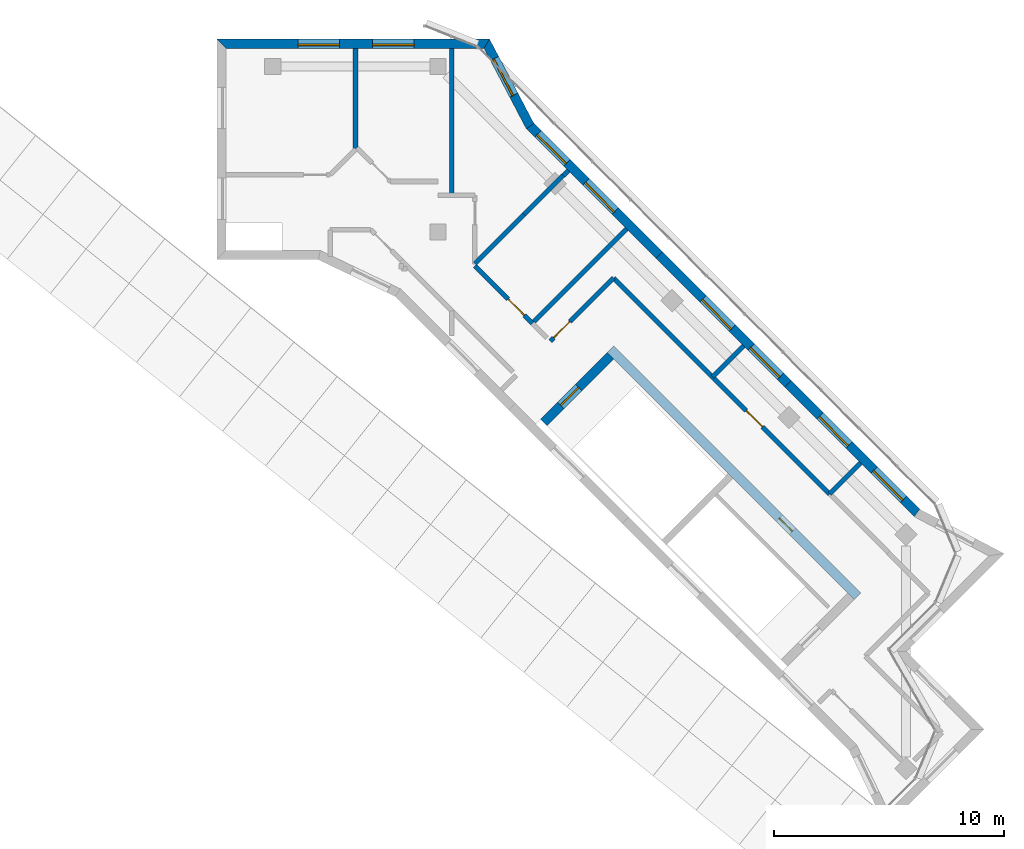
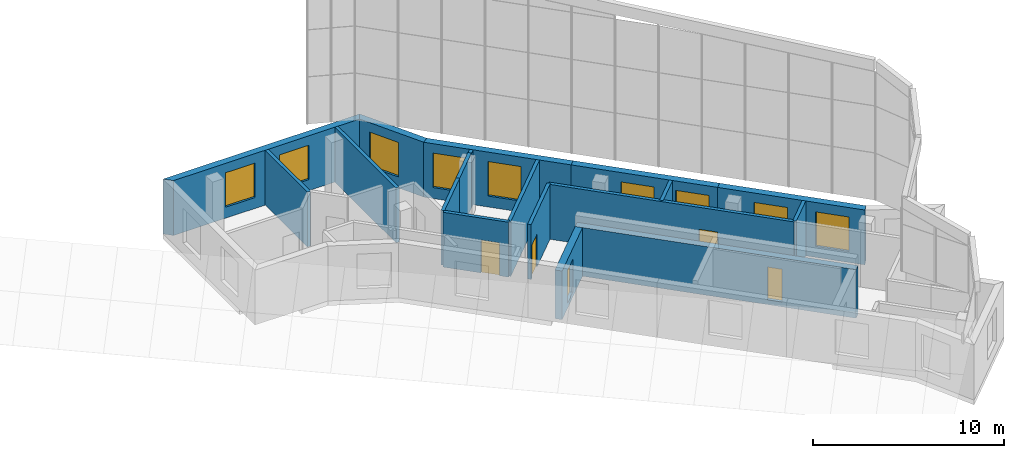
# One storey, part 9 of 9: 18 walls, 9 windows, 5 doors, 14 openings.
"""IFC4 building model written with IfcOpenShell, lengths in metres."""

from ifc_helpers import new_model, si_unit, direction, frame, frame_2d, origin, place, context, subcontext, project, spatial, polyline, rectangle, outline, extrude, material, layer, layer_set, type_object, element, fill, save


model = new_model("IFC4")

# Units and contexts
model_context = context("Model", 3, precision=1e-05, world=origin(), true_north=direction((0.0, 1.0)))
body_context = subcontext(model_context, "Body", "Model", "MODEL_VIEW")
ifc_project = project(units=[si_unit("LENGTHUNIT", "METRE"), si_unit("AREAUNIT", "SQUARE_METRE"), si_unit("VOLUMEUNIT", "CUBIC_METRE"), si_unit("PLANEANGLEUNIT", "RADIAN"), si_unit("MASSUNIT", "GRAM", prefix="KILO")], contexts=[model_context])

# Site, building, storey
site_placement = place(None, origin())
site = spatial("IfcSite", under=ifc_project, at=site_placement, CompositionType="ELEMENT")
building_placement = place(site_placement, origin())
building = spatial("IfcBuilding", under=site, at=building_placement, Name="Windrow Commons", CompositionType="ELEMENT")
storey_placement = place(building_placement, frame((0.0, 0.0, 309.6)))
storey = spatial("IfcBuildingStorey", under=building, at=storey_placement, Name="L84", CompositionType="ELEMENT", Elevation=309.6)

# Wall, opening, door
ifc_material_1 = material(Name="Blockwork partition", Category="masonry")
ifc_layer_1 = layer(ifc_material_1, 0.2)
ifc_layer_set_1 = layer_set([ifc_layer_1], Name="IW-CORRIDOR-200")
wall_type_1 = type_object("IfcWallType", Name="IW-CORRIDOR-200", PredefinedType="PARTITIONING", material=ifc_layer_set_1)
wall_1_placement = place(storey_placement, frame((86.835, 62.803, 0.0), z_axis=(0.0, 0.0, 1.0), x_axis=(0.7072045346, -0.7070090143, 0.0)))
wall_1 = element("IfcWall", 1, at=wall_1_placement, inside=storey, type_object=wall_type_1, Name="W-L84-W000", PredefinedType="PARTITIONING", context=body_context, shape_type="SweptSolid", body=[
    extrude(rectangle(XDim=13.2979, YDim=0.2, at=frame_2d((6.649, 0.0))), origin(), (0.0, 0.0, 1.0), 3.5),
])
opening_1_placement = place(wall_1_placement, frame((8.1692, 0.0, 0.0)))
opening_1 = element("IfcOpeningElement", 2, at=opening_1_placement, cuts=wall_1, Name="Opening D410F", PredefinedType="OPENING", context=body_context, shape_type="SweptSolid", body=[
    extrude(rectangle(XDim=1.0, YDim=2.1, at=frame_2d((0.5, 1.05))), frame((0.0, 0.11, 0.0), z_axis=(0.0, -1.0, 0.0), x_axis=(1.0, 0.0, 0.0)), (0.0, 0.0, 1.0), 0.22),
])
ifc_material_2 = material(Name="Timber door leaf", Category="wood")
door_type_1 = type_object("IfcDoorType", Name="DT-SERVICE-1000", OperationType="SINGLE_SWING_LEFT", PredefinedType="DOOR", material=ifc_material_2)
door_1_placement = place(opening_1_placement, origin())
door_1 = element("IfcDoor", 3, at=door_1_placement, inside=storey, type_object=door_type_1, Name="D-L84-D006", OperationType="SINGLE_SWING_RIGHT", OverallHeight=2.1, OverallWidth=1.0, PredefinedType="DOOR", context=body_context, shape_type="SweptSolid", body=[
    extrude(rectangle(XDim=1.0, YDim=2.1, at=frame_2d((0.5, 1.05))), frame((0.0, 0.025, 0.0), z_axis=(0.0, -1.0, 0.0), x_axis=(1.0, 0.0, 0.0)), (0.0, 0.0, 1.0), 0.05),
])
fill(opening_1, door_1)

wall_2_placement = place(storey_placement, frame((84.0787, 60.0513, 0.0), z_axis=(0.0, 0.0, 1.0), x_axis=(0.7071067812, 0.7071067812, 0.0)))
wall_2 = element("IfcWall", 4, at=wall_2_placement, inside=storey, type_object=wall_type_1, Name="W-L84-W007", PredefinedType="PARTITIONING", context=body_context, shape_type="SweptSolid", body=[
    extrude(rectangle(XDim=3.8976, YDim=0.2, at=frame_2d((1.9488, 0.0))), origin(), (0.0, 0.0, 1.0), 3.5),
])
opening_2_placement = place(wall_2_placement, frame((0.2089, 0.0, 0.0)))
opening_2 = element("IfcOpeningElement", 5, at=opening_2_placement, cuts=wall_2, Name="Opening D410F", PredefinedType="OPENING", context=body_context, shape_type="SweptSolid", body=[
    extrude(rectangle(XDim=1.0, YDim=2.1, at=frame_2d((0.5, 1.05))), frame((0.0, 0.11, 0.0), z_axis=(0.0, -1.0, 0.0), x_axis=(1.0, 0.0, 0.0)), (0.0, 0.0, 1.0), 0.22),
])
door_2_placement = place(opening_2_placement, origin())
door_2 = element("IfcDoor", 6, at=door_2_placement, inside=storey, type_object=door_type_1, Name="D-L84-D005", OperationType="SINGLE_SWING_RIGHT", OverallHeight=2.1, OverallWidth=1.0, PredefinedType="DOOR", context=body_context, shape_type="SweptSolid", body=[
    extrude(rectangle(XDim=1.0, YDim=2.1, at=frame_2d((0.5, 1.05))), frame((0.0, 0.025, 0.0), z_axis=(0.0, -1.0, 0.0), x_axis=(1.0, 0.0, 0.0)), (0.0, 0.0, 1.0), 0.05),
])
fill(opening_2, door_2)

wall_3_placement = place(storey_placement, frame((80.8008, 63.3288, 0.0), z_axis=(0.0, 0.0, 1.0), x_axis=(0.7073894543, -0.7068239951, 0.0)))
wall_3 = element("IfcWall", 7, at=wall_3_placement, inside=storey, type_object=wall_type_1, Name="W-L84-W011", PredefinedType="PARTITIONING", context=body_context, shape_type="SweptSolid", body=[
    extrude(rectangle(XDim=3.5369, YDim=0.2, at=frame_2d((1.7685, 0.0))), origin(), (0.0, 0.0, 1.0), 3.5),
])
opening_3_placement = place(wall_3_placement, frame((2.0408, 0.0, 0.0)))
opening_3 = element("IfcOpeningElement", 8, at=opening_3_placement, cuts=wall_3, Name="Opening D410F", PredefinedType="OPENING", context=body_context, shape_type="SweptSolid", body=[
    extrude(rectangle(XDim=1.0, YDim=2.1, at=frame_2d((0.5, 1.05))), frame((0.0, 0.11, 0.0), z_axis=(0.0, -1.0, 0.0), x_axis=(1.0, 0.0, 0.0)), (0.0, 0.0, 1.0), 0.22),
])
door_3_placement = place(opening_3_placement, origin())
door_3 = element("IfcDoor", 9, at=door_3_placement, inside=storey, type_object=door_type_1, Name="D-L84-D004", OperationType="SINGLE_SWING_LEFT", OverallHeight=2.1, OverallWidth=1.0, PredefinedType="DOOR", context=body_context, shape_type="SweptSolid", body=[
    extrude(rectangle(XDim=1.0, YDim=2.1, at=frame_2d((0.5, 1.05))), frame((0.0, 0.025, 0.0), z_axis=(0.0, -1.0, 0.0), x_axis=(1.0, 0.0, 0.0)), (0.0, 0.0, 1.0), 0.05),
])
fill(opening_3, door_3)

# Walls
ifc_material_3 = material(Name="Blockwork partition", Category="masonry")
ifc_layer_2 = layer(ifc_material_3, 0.2)
ifc_layer_set_2 = layer_set([ifc_layer_2], Name="IW-PARTY-200")
wall_type_2 = type_object("IfcWallType", Name="IW-PARTY-200", PredefinedType="PARTITIONING", material=ifc_layer_set_2)
wall_4_placement = place(storey_placement, frame((80.7993, 63.4187, 0.0), z_axis=(0.0, 0.0, 1.0), x_axis=(0.7071067812, 0.7071067812, 0.0)))
element("IfcWall", 10, at=wall_4_placement, inside=storey, type_object=wall_type_2, Name="W-L84-W012", PredefinedType="PARTITIONING", context=body_context, shape_type="SweptSolid", body=[
    extrude(rectangle(XDim=3.0434, YDim=0.2, at=frame_2d((1.5217, 0.0))), origin(), (0.0, 0.0, 1.0), 3.5),
])
wall_5_placement = place(storey_placement, frame((82.9487, 65.5734, 0.0), z_axis=(0.0, 0.0, 1.0), x_axis=(0.7078390676, 0.7063737356, 0.0)))
element("IfcWall", 11, at=wall_5_placement, inside=storey, type_object=wall_type_2, Name="W-L84-W028", PredefinedType="PARTITIONING", context=body_context, shape_type="SweptSolid", body=[
    extrude(rectangle(XDim=2.3885, YDim=0.2, at=frame_2d((1.1943, 0.0))), origin(), (0.0, 0.0, 1.0), 3.5),
])
wall_6_placement = place(storey_placement, frame((79.8, 66.4, 0.0), z_axis=(0.0, 0.0, 1.0), x_axis=(0.0, 1.0, 0.0)))
element("IfcWall", 12, at=wall_6_placement, inside=storey, type_object=wall_type_2, Name="W-L84-W002", PredefinedType="PARTITIONING", context=body_context, shape_type="SweptSolid", body=[
    extrude(outline(polyline([(0.0, -0.1), (6.4, -0.1), (6.4, 0.1), (0.0, 0.1), (0.0, -0.1)])), origin(), (0.0, 0.0, 1.0), 3.5),
])
wall_7_placement = place(storey_placement, frame((83.3009, 60.8291, 0.0), z_axis=(0.0, 0.0, 1.0), x_axis=(0.7071067812, 0.7071067812, 0.0)))
element("IfcWall", 13, at=wall_7_placement, inside=storey, type_object=wall_type_2, Name="W-L84-W003", PredefinedType="PARTITIONING", context=body_context, shape_type="SweptSolid", body=[
    extrude(outline(polyline([(0.0, -0.1), (5.7993, -0.1), (5.7993, 0.1), (0.0, 0.1), (0.0, -0.1)])), origin(), (0.0, 0.0, 1.0), 3.5),
])
wall_8_placement = place(storey_placement, frame((75.6, 68.4, 0.0), z_axis=(0.0, 0.0, 1.0), x_axis=(0.0, 1.0, 0.0)))
element("IfcWall", 14, at=wall_8_placement, inside=storey, type_object=wall_type_2, Name="W-L84-W004", PredefinedType="PARTITIONING", context=body_context, shape_type="SweptSolid", body=[
    extrude(outline(polyline([(0.0, -0.1), (4.4, -0.1), (4.4, 0.1), (0.0, 0.1), (0.0, -0.1)])), origin(), (0.0, 0.0, 1.0), 3.5),
])
wall_9_placement = place(storey_placement, frame((91.1491, 58.4949, 0.0), z_axis=(0.0, 0.0, 1.0), x_axis=(0.7071067812, 0.7071067812, 0.0)))
element("IfcWall", 15, at=wall_9_placement, inside=storey, type_object=wall_type_2, Name="W-L84-W018", PredefinedType="PARTITIONING", context=body_context, shape_type="SweptSolid", body=[
    extrude(outline(polyline([(0.0, -0.1), (1.9003, -0.1), (1.9003, 0.1), (0.0, 0.1), (0.0, -0.1)])), origin(), (0.0, 0.0, 1.0), 3.5),
])
wall_10_placement = place(storey_placement, frame((96.2413, 53.4047, 0.0), z_axis=(0.0, 0.0, 1.0), x_axis=(0.7071067812, 0.7071067812, 0.0)))
element("IfcWall", 16, at=wall_10_placement, inside=storey, type_object=wall_type_2, Name="W-L84-W019", PredefinedType="PARTITIONING", context=body_context, shape_type="SweptSolid", body=[
    extrude(outline(polyline([(0.0, -0.1), (1.8989, -0.1), (1.8989, 0.1), (0.0, 0.1), (0.0, -0.1)])), origin(), (0.0, 0.0, 1.0), 3.5),
])
wall_11_placement = place(storey_placement, frame((84.6447, 67.2553, 0.0), z_axis=(0.0, 0.0, 1.0), x_axis=(0.7053018997, 0.7089070674, 0.0)))
element("IfcWall", 17, at=wall_11_placement, inside=storey, type_object=wall_type_2, Name="W-L84-W034", PredefinedType="PARTITIONING", context=body_context, shape_type="SweptSolid", body=[
    extrude(outline(polyline([(0.0, -0.1), (0.305, -0.1), (0.305, 0.1), (0.0, 0.1), (0.0, -0.1)])), origin(), (0.0, 0.0, 1.0), 3.5),
])

# Wall, opening, door
ifc_material_4 = material(Name="Concrete C40/50", Category="concrete")
ifc_layer_3 = layer(ifc_material_4, 0.4)
ifc_layer_set_3 = layer_set([ifc_layer_3], Name="RC CORE WALL 400 C40/50")
wall_type_3 = type_object("IfcWallType", Name="RC CORE WALL 400 C40/50", PredefinedType="SHEAR", material=ifc_layer_set_3)
wall_12_placement = place(storey_placement, frame((86.6953, 59.6963, -0.3), z_axis=(0.0, 0.0, 1.0), x_axis=(0.7071100706, -0.7071034917, 0.0)))
wall_12 = element("IfcWall", 18, at=wall_12_placement, inside=storey, type_object=wall_type_3, Name="Core B wall outer-N", PredefinedType="SHEAR", context=body_context, shape_type="SweptSolid", body=[
    extrude(outline(polyline([(0.0, 0.0), (15.2, 0.0), (15.2, 3.1), (0.0, 3.1), (0.0, 0.0)])), frame((0.0, 0.2, 0.0), z_axis=(0.0, -1.0, 0.0), x_axis=(1.0, 0.0, 0.0)), (0.0, 0.0, 1.0), 0.4),
])
opening_4_placement = place(wall_12_placement, frame((10.4, 0.0, 0.3)))
opening_4 = element("IfcOpeningElement", 19, at=opening_4_placement, cuts=wall_12, Name="Opening D9", PredefinedType="OPENING", context=body_context, shape_type="SweptSolid", body=[
    extrude(rectangle(XDim=0.8, YDim=2.1, at=frame_2d((0.4, 1.05))), frame((0.0, 0.21, 0.0), z_axis=(0.0, -1.0, 0.0), x_axis=(1.0, 0.0, 0.0)), (0.0, 0.0, 1.0), 0.42),
])
ifc_material_5 = material(Name="Steel fire door leaf", Category="steel")
door_type_2 = type_object("IfcDoorType", Name="Riser access door 800", OperationType="SINGLE_SWING_LEFT", PredefinedType="DOOR", material=ifc_material_5)
door_4_placement = place(opening_4_placement, origin())
door_4 = element("IfcDoor", 20, at=door_4_placement, inside=storey, type_object=door_type_2, Name="Riser access door", OperationType="SINGLE_SWING_RIGHT", OverallHeight=2.1, OverallWidth=0.8, PredefinedType="DOOR", context=body_context, shape_type="SweptSolid", body=[
    extrude(rectangle(XDim=0.8, YDim=2.1, at=frame_2d((0.4, 1.05))), frame((0.0, 0.025, 0.0), z_axis=(0.0, -1.0, 0.0), x_axis=(1.0, 0.0, 0.0)), (0.0, 0.0, 1.0), 0.05),
])
fill(opening_4, door_4)

wall_13_placement = place(storey_placement, frame((83.7962, 56.5144, -0.3), z_axis=(0.0, 0.0, 1.0), x_axis=(0.7071067812, 0.7071067812, 0.0)))
wall_13 = element("IfcWall", 21, at=wall_13_placement, inside=storey, type_object=wall_type_3, Name="Core B wall outer-W", PredefinedType="SHEAR", context=body_context, shape_type="SweptSolid", body=[
    extrude(outline(polyline([(0.0, 0.0), (4.0999, 0.0), (4.1, 3.1), (0.0, 3.1), (0.0, 0.0)])), frame((0.0, 0.2, 0.0), z_axis=(0.0, -1.0, 0.0), x_axis=(1.0, 0.0, 0.0)), (0.0, 0.0, 1.0), 0.4),
])
opening_5_placement = place(wall_13_placement, frame((1.05, 0.0, 0.3)))
opening_5 = element("IfcOpeningElement", 22, at=opening_5_placement, cuts=wall_13, Name="Opening D7", PredefinedType="OPENING", context=body_context, shape_type="SweptSolid", body=[
    extrude(rectangle(XDim=1.1, YDim=2.1, at=frame_2d((0.55, 1.05))), frame((0.0, 0.21, 0.0), z_axis=(0.0, -1.0, 0.0), x_axis=(1.0, 0.0, 0.0)), (0.0, 0.0, 1.0), 0.42),
])
ifc_material_6 = material(Name="Steel fire door leaf", Category="steel")
door_type_3 = type_object("IfcDoorType", Name="Stair door 1100", OperationType="SINGLE_SWING_LEFT", PredefinedType="DOOR", material=ifc_material_6)
door_5_placement = place(opening_5_placement, origin())
door_5 = element("IfcDoor", 23, at=door_5_placement, inside=storey, type_object=door_type_3, Name="Stair door", OperationType="SINGLE_SWING_LEFT", OverallHeight=2.1, OverallWidth=1.1, PredefinedType="DOOR", context=body_context, shape_type="SweptSolid", body=[
    extrude(rectangle(XDim=1.1, YDim=2.1, at=frame_2d((0.55, 1.05))), frame((0.0, 0.025, 0.0), z_axis=(0.0, -1.0, 0.0), x_axis=(1.0, 0.0, 0.0)), (0.0, 0.0, 1.0), 0.05),
])
fill(opening_5, door_5)

# Wall, openings, windows
ifc_material_7 = material(Name="Standing seam zinc cladding on insulated masonry backing", Category="masonry")
ifc_layer_4 = layer(ifc_material_7, 0.4)
ifc_layer_set_4 = layer_set([ifc_layer_4], Name="Zinc clad crown wall 400")
wall_type_4 = type_object("IfcWallType", Name="Zinc clad crown wall 400", PredefinedType="SOLIDWALL", material=ifc_layer_set_4)
wall_14_placement = place(storey_placement, frame((100.0398, 52.5744, 0.0), z_axis=(0.0, 0.0, 1.0), x_axis=(-0.7071004896, 0.7071130728, 0.0)))
wall_14 = element("IfcWall", 24, at=wall_14_placement, inside=storey, type_object=wall_type_4, Name="Brick facade wall L84 4", PredefinedType="SOLIDWALL", context=body_context, shape_type="SweptSolid", body=[
    extrude(outline(polyline([(0.0304, -0.2), (7.9471, -0.2), (7.9471, 0.2), (-0.0304, 0.2), (0.0304, -0.2)])), origin(), (0.0, 0.0, 1.0), 3.5),
])
opening_6_placement = place(wall_14_placement, frame((0.836, 0.0, 0.7)))
opening_6 = element("IfcOpeningElement", 25, at=opening_6_placement, cuts=wall_14, Name="Opening W6", PredefinedType="OPENING", context=body_context, shape_type="SweptSolid", body=[
    extrude(rectangle(XDim=1.8, YDim=2.2, at=frame_2d((0.9, 1.1))), frame((0.0, 0.21, 0.0), z_axis=(0.0, -1.0, 0.0), x_axis=(1.0, 0.0, 0.0)), (0.0, 0.0, 1.0), 0.42),
])
opening_7_placement = place(wall_14_placement, frame((4.172, 0.0, 0.7)))
opening_7 = element("IfcOpeningElement", 26, at=opening_7_placement, cuts=wall_14, Name="Opening W6", PredefinedType="OPENING", context=body_context, shape_type="SweptSolid", body=[
    extrude(rectangle(XDim=1.8, YDim=2.2, at=frame_2d((0.9, 1.1))), frame((0.0, 0.21, 0.0), z_axis=(0.0, -1.0, 0.0), x_axis=(1.0, 0.0, 0.0)), (0.0, 0.0, 1.0), 0.42),
])
ifc_material_8 = material(Name="Clear float glass in anodised aluminium frame", Category="aluminium")
window_type = type_object("IfcWindowType", Name="Window W6 crown 1800x2200", PartitioningType="SINGLE_PANEL", PredefinedType="WINDOW", material=ifc_material_8)
window_1_placement = place(opening_6_placement, origin())
window_1 = element("IfcWindow", 27, at=window_1_placement, inside=storey, type_object=window_type, Name="Window L84 4.1", OverallHeight=2.2, OverallWidth=1.8, PartitioningType="SINGLE_PANEL", PredefinedType="WINDOW", context=body_context, shape_type="SweptSolid", body=[
    extrude(rectangle(XDim=1.8, YDim=2.2, at=frame_2d((0.9, 1.1))), frame((0.0, 0.08, 0.0), z_axis=(0.0, -1.0, 0.0), x_axis=(1.0, 0.0, 0.0)), (0.0, 0.0, 1.0), 0.06),
])
fill(opening_6, window_1)
window_2_placement = place(opening_7_placement, origin())
window_2 = element("IfcWindow", 28, at=window_2_placement, inside=storey, type_object=window_type, Name="Window L84 4.2", OverallHeight=2.2, OverallWidth=1.8, PartitioningType="SINGLE_PANEL", PredefinedType="WINDOW", context=body_context, shape_type="SweptSolid", body=[
    extrude(rectangle(XDim=1.8, YDim=2.2, at=frame_2d((0.9, 1.1))), frame((0.0, 0.08, 0.0), z_axis=(0.0, -1.0, 0.0), x_axis=(1.0, 0.0, 0.0)), (0.0, 0.0, 1.0), 0.06),
])
fill(opening_7, window_2)

wall_15_placement = place(storey_placement, frame((94.4204, 58.1939, 0.0), z_axis=(0.0, 0.0, 1.0), x_axis=(-0.7071067812, 0.7071067812, 0.0)))
wall_15 = element("IfcWall", 29, at=wall_15_placement, inside=storey, type_object=wall_type_4, Name="Brick facade wall L84 5", PredefinedType="SOLIDWALL", context=body_context, shape_type="SweptSolid", body=[
    extrude(outline(polyline([(0.0, -0.2), (7.9168, -0.2), (7.9168, 0.2), (0.0, 0.2), (0.0, -0.2)])), origin(), (0.0, 0.0, 1.0), 3.5),
])
opening_8_placement = place(wall_15_placement, frame((0.4624, 0.0, 0.7)))
opening_8 = element("IfcOpeningElement", 30, at=opening_8_placement, cuts=wall_15, Name="Opening W6", PredefinedType="OPENING", context=body_context, shape_type="SweptSolid", body=[
    extrude(rectangle(XDim=1.8, YDim=2.2, at=frame_2d((0.9, 1.1))), frame((0.0, 0.21, 0.0), z_axis=(0.0, -1.0, 0.0), x_axis=(1.0, 0.0, 0.0)), (0.0, 0.0, 1.0), 0.42),
])
opening_9_placement = place(wall_15_placement, frame((3.4249, 0.0, 0.7)))
opening_9 = element("IfcOpeningElement", 31, at=opening_9_placement, cuts=wall_15, Name="Opening W6", PredefinedType="OPENING", context=body_context, shape_type="SweptSolid", body=[
    extrude(rectangle(XDim=1.8, YDim=2.2, at=frame_2d((0.9, 1.1))), frame((0.0, 0.21, 0.0), z_axis=(0.0, -1.0, 0.0), x_axis=(1.0, 0.0, 0.0)), (0.0, 0.0, 1.0), 0.42),
])
window_3_placement = place(opening_8_placement, origin())
window_3 = element("IfcWindow", 32, at=window_3_placement, inside=storey, type_object=window_type, Name="Window L84 5.1", OverallHeight=2.2, OverallWidth=1.8, PartitioningType="SINGLE_PANEL", PredefinedType="WINDOW", context=body_context, shape_type="SweptSolid", body=[
    extrude(rectangle(XDim=1.8, YDim=2.2, at=frame_2d((0.9, 1.1))), frame((0.0, 0.08, 0.0), z_axis=(0.0, -1.0, 0.0), x_axis=(1.0, 0.0, 0.0)), (0.0, 0.0, 1.0), 0.06),
])
fill(opening_8, window_3)
window_4_placement = place(opening_9_placement, origin())
window_4 = element("IfcWindow", 33, at=window_4_placement, inside=storey, type_object=window_type, Name="Window L84 5.2", OverallHeight=2.2, OverallWidth=1.8, PartitioningType="SINGLE_PANEL", PredefinedType="WINDOW", context=body_context, shape_type="SweptSolid", body=[
    extrude(rectangle(XDim=1.8, YDim=2.2, at=frame_2d((0.9, 1.1))), frame((0.0, 0.08, 0.0), z_axis=(0.0, -1.0, 0.0), x_axis=(1.0, 0.0, 0.0)), (0.0, 0.0, 1.0), 0.06),
])
fill(opening_9, window_4)

wall_16_placement = place(storey_placement, frame((88.8224, 63.7919, 0.0), z_axis=(0.0, 0.0, 1.0), x_axis=(-0.7071130728, 0.7071004896, 0.0)))
wall_16 = element("IfcWall", 34, at=wall_16_placement, inside=storey, type_object=wall_type_4, Name="Brick facade wall L84 6", PredefinedType="SOLIDWALL", context=body_context, shape_type="SweptSolid", body=[
    extrude(outline(polyline([(0.0, -0.2), (7.9168, -0.2), (7.9775, 0.2), (0.0, 0.2), (0.0, -0.2)])), origin(), (0.0, 0.0, 1.0), 3.5),
])
opening_10_placement = place(wall_16_placement, frame((2.7081, 0.0, 0.7)))
opening_10 = element("IfcOpeningElement", 35, at=opening_10_placement, cuts=wall_16, Name="Opening W6", PredefinedType="OPENING", context=body_context, shape_type="SweptSolid", body=[
    extrude(rectangle(XDim=1.8, YDim=2.2, at=frame_2d((0.9, 1.1))), frame((0.0, 0.21, 0.0), z_axis=(0.0, -1.0, 0.0), x_axis=(1.0, 0.0, 0.0)), (0.0, 0.0, 1.0), 0.42),
])
opening_11_placement = place(wall_16_placement, frame((5.6776, 0.0, 0.7)))
opening_11 = element("IfcOpeningElement", 36, at=opening_11_placement, cuts=wall_16, Name="Opening W6", PredefinedType="OPENING", context=body_context, shape_type="SweptSolid", body=[
    extrude(rectangle(XDim=1.8, YDim=2.2, at=frame_2d((0.9, 1.1))), frame((0.0, 0.21, 0.0), z_axis=(0.0, -1.0, 0.0), x_axis=(1.0, 0.0, 0.0)), (0.0, 0.0, 1.0), 0.42),
])
window_5_placement = place(opening_10_placement, origin())
window_5 = element("IfcWindow", 37, at=window_5_placement, inside=storey, type_object=window_type, Name="Window L84 6.1", OverallHeight=2.2, OverallWidth=1.8, PartitioningType="SINGLE_PANEL", PredefinedType="WINDOW", context=body_context, shape_type="SweptSolid", body=[
    extrude(rectangle(XDim=1.8, YDim=2.2, at=frame_2d((0.9, 1.1))), frame((0.0, 0.08, 0.0), z_axis=(0.0, -1.0, 0.0), x_axis=(1.0, 0.0, 0.0)), (0.0, 0.0, 1.0), 0.06),
])
fill(opening_10, window_5)
window_6_placement = place(opening_11_placement, origin())
window_6 = element("IfcWindow", 38, at=window_6_placement, inside=storey, type_object=window_type, Name="Window L84 6.2", OverallHeight=2.2, OverallWidth=1.8, PartitioningType="SINGLE_PANEL", PredefinedType="WINDOW", context=body_context, shape_type="SweptSolid", body=[
    extrude(rectangle(XDim=1.8, YDim=2.2, at=frame_2d((0.9, 1.1))), frame((0.0, 0.08, 0.0), z_axis=(0.0, -1.0, 0.0), x_axis=(1.0, 0.0, 0.0)), (0.0, 0.0, 1.0), 0.06),
])
fill(opening_11, window_6)

# Wall, opening, window
wall_17_placement = place(storey_placement, frame((83.2029, 69.4113, 0.0), z_axis=(0.0, 0.0, 1.0), x_axis=(-0.465420108, 0.8850898955, 0.0)))
wall_17 = element("IfcWall", 39, at=wall_17_placement, inside=storey, type_object=wall_type_4, Name="Brick facade wall L84 7", PredefinedType="SOLIDWALL", context=body_context, shape_type="SweptSolid", body=[
    extrude(outline(polyline([(0.0304, -0.2), (4.1754, -0.2), (3.9338, 0.2), (-0.0304, 0.2), (0.0304, -0.2)])), origin(), (0.0, 0.0, 1.0), 3.5),
])
opening_12_placement = place(wall_17_placement, frame((1.5224, 0.0, 0.7)))
opening_12 = element("IfcOpeningElement", 40, at=opening_12_placement, cuts=wall_17, Name="Opening W6", PredefinedType="OPENING", context=body_context, shape_type="SweptSolid", body=[
    extrude(rectangle(XDim=1.8, YDim=2.2, at=frame_2d((0.9, 1.1))), frame((0.0, 0.21, 0.0), z_axis=(0.0, -1.0, 0.0), x_axis=(1.0, 0.0, 0.0)), (0.0, 0.0, 1.0), 0.42),
])
window_7_placement = place(opening_12_placement, origin())
window_7 = element("IfcWindow", 41, at=window_7_placement, inside=storey, type_object=window_type, Name="Window L84 7.1", OverallHeight=2.2, OverallWidth=1.8, PartitioningType="SINGLE_PANEL", PredefinedType="WINDOW", context=body_context, shape_type="SweptSolid", body=[
    extrude(rectangle(XDim=1.8, YDim=2.2, at=frame_2d((0.9, 1.1))), frame((0.0, 0.08, 0.0), z_axis=(0.0, -1.0, 0.0), x_axis=(1.0, 0.0, 0.0)), (0.0, 0.0, 1.0), 0.06),
])
fill(opening_12, window_7)

# Wall, openings, windows
wall_18_placement = place(storey_placement, frame((81.3158, 73.0, 0.0), z_axis=(0.0, 0.0, 1.0), x_axis=(-1.0, 0.0, 0.0)))
wall_18 = element("IfcWall", 42, at=wall_18_placement, inside=storey, type_object=wall_type_4, Name="Brick facade wall L84 8", PredefinedType="SOLIDWALL", context=body_context, shape_type="SweptSolid", body=[
    extrude(outline(polyline([(-0.1208, -0.2), (11.7488, -0.2), (11.3488, 0.2), (0.1208, 0.2), (-0.1208, -0.2)])), origin(), (0.0, 0.0, 1.0), 3.5),
])
opening_13_placement = place(wall_18_placement, frame((3.1658, 0.0, 0.7)))
opening_13 = element("IfcOpeningElement", 43, at=opening_13_placement, cuts=wall_18, Name="Opening W6", PredefinedType="OPENING", context=body_context, shape_type="SweptSolid", body=[
    extrude(rectangle(XDim=1.8, YDim=2.2, at=frame_2d((0.9, 1.1))), frame((0.0, 0.21, 0.0), z_axis=(0.0, -1.0, 0.0), x_axis=(1.0, 0.0, 0.0)), (0.0, 0.0, 1.0), 0.42),
])
opening_14_placement = place(wall_18_placement, frame((6.4158, 0.0, 0.7)))
opening_14 = element("IfcOpeningElement", 44, at=opening_14_placement, cuts=wall_18, Name="Opening W6", PredefinedType="OPENING", context=body_context, shape_type="SweptSolid", body=[
    extrude(rectangle(XDim=1.8, YDim=2.2, at=frame_2d((0.9, 1.1))), frame((0.0, 0.21, 0.0), z_axis=(0.0, -1.0, 0.0), x_axis=(1.0, 0.0, 0.0)), (0.0, 0.0, 1.0), 0.42),
])
window_8_placement = place(opening_13_placement, origin())
window_8 = element("IfcWindow", 45, at=window_8_placement, inside=storey, type_object=window_type, Name="Window L84 8.1", OverallHeight=2.2, OverallWidth=1.8, PartitioningType="SINGLE_PANEL", PredefinedType="WINDOW", context=body_context, shape_type="SweptSolid", body=[
    extrude(rectangle(XDim=1.8, YDim=2.2, at=frame_2d((0.9, 1.1))), frame((0.0, 0.08, 0.0), z_axis=(0.0, -1.0, 0.0), x_axis=(1.0, 0.0, 0.0)), (0.0, 0.0, 1.0), 0.06),
])
fill(opening_13, window_8)
window_9_placement = place(opening_14_placement, origin())
window_9 = element("IfcWindow", 46, at=window_9_placement, inside=storey, type_object=window_type, Name="Window L84 8.2", OverallHeight=2.2, OverallWidth=1.8, PartitioningType="SINGLE_PANEL", PredefinedType="WINDOW", context=body_context, shape_type="SweptSolid", body=[
    extrude(rectangle(XDim=1.8, YDim=2.2, at=frame_2d((0.9, 1.1))), frame((0.0, 0.08, 0.0), z_axis=(0.0, -1.0, 0.0), x_axis=(1.0, 0.0, 0.0)), (0.0, 0.0, 1.0), 0.06),
])
fill(opening_14, window_9)

save(model, "model.ifc")
